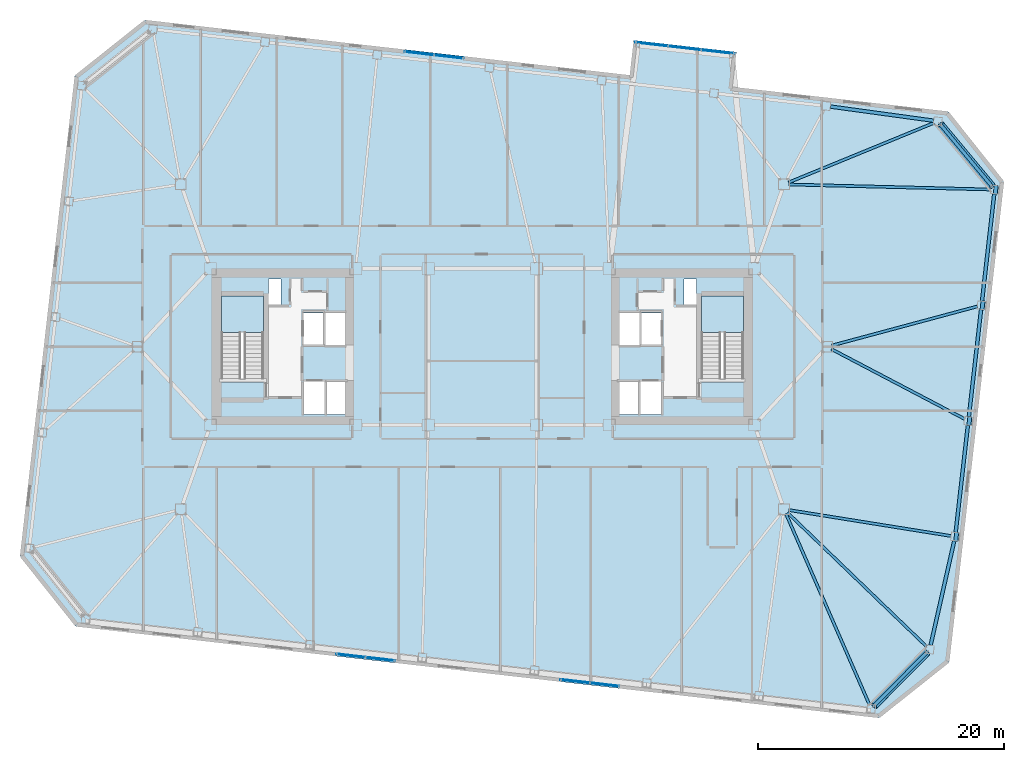
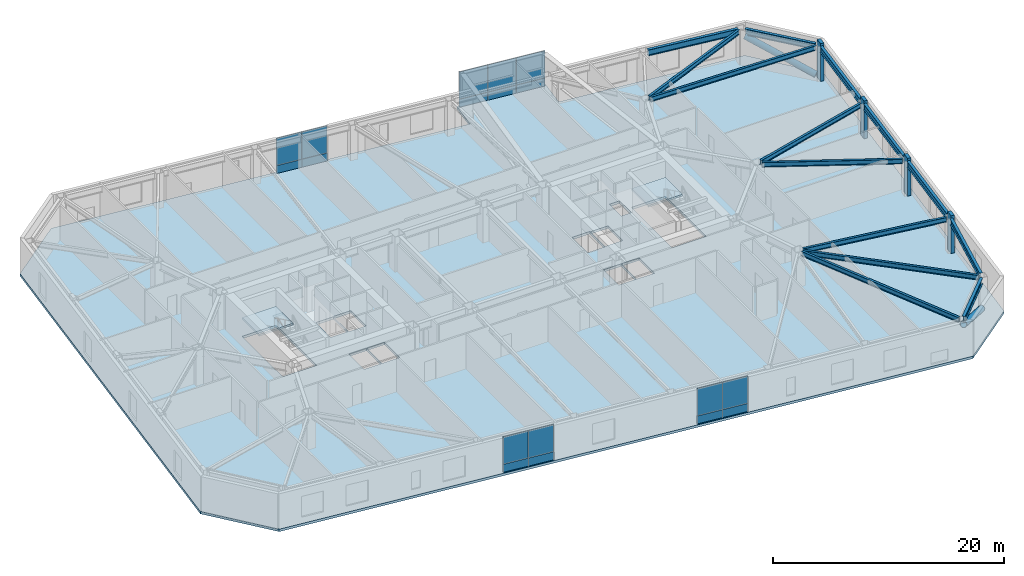
# One storey, part 12 of 23: 18 plates, 14 beams, 6 members, 3 slabs, 6 elements without a shape of their own.
"""IFC4 building model written with IfcOpenShell, lengths in metres."""

from ifc_helpers import new_model, si_unit, direction, frame, origin, origin_2d, place, context, subcontext, project, spatial, polyline, rectangle, hollow_circle, i_section, outline, extrude, material, layer, layer_set, material_profile, profile_set, type_object, element, aggregate, save


model = new_model("IFC4")

# Units and contexts
model_context = context("Model", 3, precision=1e-05, world=origin(), true_north=direction((0.0, 1.0)))
body_context = subcontext(model_context, "Body", "Model", "MODEL_VIEW")
ifc_project = project(units=[si_unit("LENGTHUNIT", "METRE"), si_unit("AREAUNIT", "SQUARE_METRE"), si_unit("VOLUMEUNIT", "CUBIC_METRE"), si_unit("PLANEANGLEUNIT", "RADIAN"), si_unit("MASSUNIT", "GRAM", prefix="KILO")], contexts=[model_context])

# Site, building, storey
site_placement = place(None, origin())
site = spatial("IfcSite", under=ifc_project, at=site_placement, CompositionType="ELEMENT")
building_placement = place(site_placement, origin())
building = spatial("IfcBuilding", under=site, at=building_placement, Name="Tavrogorsk Clinical Tower", CompositionType="ELEMENT")
storey_placement = place(building_placement, frame((0.0, 0.0, 113.39990234375)))
storey = spatial("IfcBuildingStorey", under=building, at=storey_placement, Name="L25", CompositionType="ELEMENT", Elevation=113.39990234375)

# Members
ifc_material_1 = material(Name="Structural steel S440", Category="steel")
ifc_material_profile_1 = material_profile(ifc_material_1, hollow_circle(Radius=0.304931640625, WallThickness=0.02490234375, at=origin_2d()), Name="CHS-610x25")
ifc_profile_set_1 = profile_set([ifc_material_profile_1], Name="Structural steel S440")
member_type_1 = type_object("IfcMemberType", Name="ExoBrace_CHS610", PredefinedType="BRACE", material=ifc_profile_set_1)
member_1_placement = place(storey_placement, frame((36.1025390625, -24.82763671875, 0.4345703125), z_axis=(-0.651430241483, -0.659222469252, 0.375585378463), x_axis=(0.711298174517, -0.702890394677, 0.0)))
element("IfcMember", 1, at=member_1_placement, inside=storey, type_object=member_type_1, Name="L25 Corner Exoskeleton Brace S8-E1", PredefinedType="BRACE", context=body_context, shape_type="SweptSolid", body=[
    extrude(hollow_circle(Radius=0.304931640625, WallThickness=0.02490234375, at=origin_2d()), origin(), (0.0, 0.0, 1.0), 6.57958984375),
])
member_2_placement = place(storey_placement, frame((41.40771484375, 13.03076171875, 0.427001953125), z_axis=(-0.598616328588, 0.718269947263, 0.354607915882), x_axis=(-0.768190751014, -0.640221032189, 0.0)))
element("IfcMember", 2, at=member_2_placement, inside=storey, type_object=member_type_1, Name="L25 Corner Exoskeleton Brace E5-N1", PredefinedType="BRACE", context=body_context, shape_type="SweptSolid", body=[
    extrude(hollow_circle(Radius=0.304931640625, WallThickness=0.02490234375, at=origin_2d()), origin(), (0.0, 0.0, 1.0), 7.0107421875),
])

# Beams
ifc_material_2 = material(Name="Structural steel S355", Category="steel")
ifc_material_profile_2 = material_profile(ifc_material_2, i_section(OverallWidth=0.219970703125, OverallDepth=0.5, WebThickness=0.012939453125, FlangeThickness=0.02001953125, at=origin_2d()), Name="B-500x220x13x20")
ifc_profile_set_2 = profile_set([ifc_material_profile_2], Name="Structural steel S355")
beam_type_1 = type_object("IfcBeamType", Name="FloorBeam_B500", PredefinedType="BEAM", material=ifc_profile_set_2)
beam_1_placement = place(storey_placement, frame((24.664306640625, -13.57568359375, 3.489990234375), z_axis=(0.400586354613, -0.916259009504, 0.0), x_axis=(0.916259009504, 0.400586354613, 0.0)))
element("IfcBeam", 3, at=beam_1_placement, inside=storey, type_object=beam_type_1, Name="L25 Radial Floor Beam S8", PredefinedType="BEAM", context=body_context, shape_type="SweptSolid", body=[
    extrude(i_section(OverallWidth=0.219970703125, OverallDepth=0.5, WebThickness=0.012939453125, FlangeThickness=0.02001953125, at=origin_2d()), origin(), (0.0, 0.0, 1.0), 16.91357421875),
])
beam_2_placement = place(storey_placement, frame((24.87939453125, 13.35546875, 3.489990234375), z_axis=(0.925250223374, 0.379357383143, 0.0), x_axis=(-0.379357383143, 0.925250223374, 0.0)))
element("IfcBeam", 4, at=beam_2_placement, inside=storey, type_object=beam_type_1, Name="L25 Radial Floor Beam N1", PredefinedType="BEAM", context=body_context, shape_type="SweptSolid", body=[
    extrude(i_section(OverallWidth=0.219970703125, OverallDepth=0.5, WebThickness=0.012939453125, FlangeThickness=0.02001953125, at=origin_2d()), origin(), (0.0, 0.0, 1.0), 12.738037109375),
])
beam_3_placement = place(storey_placement, frame((24.79541015625, -13.484375, 3.489990234375), z_axis=(0.720494740362, -0.693460401977, 0.0), x_axis=(0.693460401977, 0.720494740362, 0.0)))
element("IfcBeam", 5, at=beam_3_placement, inside=storey, type_object=beam_type_1, Name="L25 Radial Floor Beam E1", PredefinedType="BEAM", context=body_context, shape_type="SweptSolid", body=[
    extrude(i_section(OverallWidth=0.219970703125, OverallDepth=0.5, WebThickness=0.012939453125, FlangeThickness=0.02001953125, at=origin_2d()), origin(), (0.0, 0.0, 1.0), 15.659423828125),
])
beam_4_placement = place(storey_placement, frame((24.90478515625, -13.2646484375, 3.489990234375), z_axis=(0.987456527754, -0.157891120067, 0.0), x_axis=(0.157891120067, 0.987456527754, 0.0)))
element("IfcBeam", 6, at=beam_4_placement, inside=storey, type_object=beam_type_1, Name="L25 Radial Floor Beam E2", PredefinedType="BEAM", context=body_context, shape_type="SweptSolid", body=[
    extrude(i_section(OverallWidth=0.219970703125, OverallDepth=0.5, WebThickness=0.012939453125, FlangeThickness=0.02001953125, at=origin_2d()), origin(), (0.0, 0.0, 1.0), 13.31787109375),
])
beam_5_placement = place(storey_placement, frame((28.363037109375, -0.1904296875, 3.489990234375), z_axis=(0.885467298335, -0.464701693111, 0.0), x_axis=(0.464701693111, 0.885467298335, 0.0)))
element("IfcBeam", 7, at=beam_5_placement, inside=storey, type_object=beam_type_1, Name="L25 Radial Floor Beam E3", PredefinedType="BEAM", context=body_context, shape_type="SweptSolid", body=[
    extrude(i_section(OverallWidth=0.219970703125, OverallDepth=0.5, WebThickness=0.012939453125, FlangeThickness=0.02001953125, at=origin_2d()), origin(), (0.0, 0.0, 1.0), 12.197021484375),
])
beam_6_placement = place(storey_placement, frame((28.39599609375, 0.1064453125, 3.489990234375), z_axis=(0.965705720144, 0.259639099677, 0.0), x_axis=(-0.259639099677, 0.965705720144, 0.0)))
element("IfcBeam", 8, at=beam_6_placement, inside=storey, type_object=beam_type_1, Name="L25 Radial Floor Beam E4", PredefinedType="BEAM", context=body_context, shape_type="SweptSolid", body=[
    extrude(i_section(OverallWidth=0.219970703125, OverallDepth=0.5, WebThickness=0.012939453125, FlangeThickness=0.02001953125, at=origin_2d()), origin(), (0.0, 0.0, 1.0), 12.228759765625),
])
beam_7_placement = place(storey_placement, frame((24.909912109375, 13.189697265625, 3.489990234375), z_axis=(0.999690121031, -0.024893009314, 0.0), x_axis=(0.024893009314, 0.999690121031, 0.0)))
element("IfcBeam", 9, at=beam_7_placement, inside=storey, type_object=beam_type_1, Name="L25 Radial Floor Beam E5", PredefinedType="BEAM", context=body_context, shape_type="SweptSolid", body=[
    extrude(i_section(OverallWidth=0.219970703125, OverallDepth=0.5, WebThickness=0.012939453125, FlangeThickness=0.02001953125, at=origin_2d()), origin(), (0.0, 0.0, 1.0), 16.359130859375),
])

# Members
ifc_material_3 = material(Name="Precast concrete B45 with limestone cladding", Category="masonry")
ifc_material_profile_3 = material_profile(ifc_material_3, rectangle(XDim=0.320068359375, YDim=0.719970703125, at=origin_2d()), Name="LIMESTONE-FIN-320x720")
ifc_profile_set_3 = profile_set([ifc_material_profile_3], Name="Precast concrete B45 with limestone cladding")
member_type_2 = type_object("IfcMemberType", Name="LimestonePleatFin_320x720", PredefinedType="USERDEFINED", material=ifc_profile_set_3)
for number, where, z_axis, x_axis, name in (
    (10, (38.48876953125, -15.432861328125, 0.0), (0.0, 0.0, 1.0), (0.993571855677, -0.113203213768, 0.0), "L25 E Pleated Stone Fin 1"),
    (11, (39.5595703125, -6.03369140625, 0.0), (0.0, 0.0, 1.0), (0.993571855677, -0.113203213768, 0.0), "L25 E Pleated Stone Fin 2"),
    (12, (40.63037109375, 3.365234375, 0.0), (0.0, 0.0, 1.0), (0.993571855677, -0.113203213768, 0.0), "L25 E Pleated Stone Fin 3"),
    (13, (41.701416015625, 12.7646484375, 0.0), (0.0, 0.0, 1.0), (0.993571855677, -0.113203213768, 0.0), "L25 E Pleated Stone Fin 4"),
):
    element("IfcMember", number, at=place(storey_placement, frame(where, z_axis=z_axis, x_axis=x_axis)), inside=storey, type_object=member_type_2, Name=name, ObjectType="FIN", PredefinedType="USERDEFINED", context=body_context, shape_type="SweptSolid", body=[
        extrude(rectangle(XDim=0.320068359375, YDim=0.719970703125, at=origin_2d()), origin(), (0.0, 0.0, 1.0), 4.0),
    ])

# Beams
ifc_material_4 = material(Name="Structural steel S390", Category="steel")
ifc_material_profile_4 = material_profile(ifc_material_4, i_section(OverallWidth=0.280029296875, OverallDepth=0.64990234375, WebThickness=0.01611328125, FlangeThickness=0.02490234375, at=origin_2d()), Name="B-650x280x16x25")
ifc_profile_set_4 = profile_set([ifc_material_profile_4], Name="Structural steel S390")
beam_type_2 = type_object("IfcBeamType", Name="SpandrelBeam_B650", PredefinedType="SPANDREL", material=ifc_profile_set_4)
beam_8_placement = place(storey_placement, frame((31.834716796875, -29.146240234375, 3.4150390625), z_axis=(0.702934929184, 0.711254163667, 0.0), x_axis=(-0.711254163667, 0.702934929184, 0.0)))
element("IfcBeam", 14, at=beam_8_placement, inside=storey, type_object=beam_type_2, Name="L25 Perimeter Spandrel S8-E1", PredefinedType="SPANDREL", context=body_context, shape_type="SweptSolid", body=[
    extrude(i_section(OverallWidth=0.280029296875, OverallDepth=0.64990234375, WebThickness=0.01611328125, FlangeThickness=0.02490234375, at=origin_2d()), origin(), (0.0, 0.0, 1.0), 6.04541015625),
])
beam_9_placement = place(storey_placement, frame((36.414794921875, -24.242431640625, 3.4150390625), z_axis=(0.220602599501, 0.975363774749, 0.0), x_axis=(-0.975363774749, 0.220602599501, 0.0)))
element("IfcBeam", 15, at=beam_9_placement, inside=storey, type_object=beam_type_2, Name="L25 Perimeter Spandrel E1-E2", PredefinedType="SPANDREL", context=body_context, shape_type="SweptSolid", body=[
    extrude(i_section(OverallWidth=0.280029296875, OverallDepth=0.64990234375, WebThickness=0.01611328125, FlangeThickness=0.02490234375, at=origin_2d()), origin(), (0.0, 0.0, 1.0), 8.68310546875),
])
for number, where, z_axis, x_axis, name in (
    (16, (38.44970703125, -15.068115234375, 3.4150390625), (0.113192226434, 0.993573107464, 0.0), (-0.993573107464, 0.113192226434, 0.0), "L25 Perimeter Spandrel E2-E3"),
    (17, (39.520751953125, -5.6689453125, 3.4150390625), (0.113192226434, 0.993573107464, 0.0), (-0.993573107464, 0.113192226434, 0.0), "L25 Perimeter Spandrel E3-E4"),
):
    element("IfcBeam", number, at=place(storey_placement, frame(where, z_axis=z_axis, x_axis=x_axis)), inside=storey, type_object=beam_type_2, Name=name, PredefinedType="SPANDREL", context=body_context, shape_type="SweptSolid", body=[
        extrude(i_section(OverallWidth=0.280029296875, OverallDepth=0.64990234375, WebThickness=0.01611328125, FlangeThickness=0.02490234375, at=origin_2d()), origin(), (0.0, 0.0, 1.0), 8.743896484375),
    ])
beam_10_placement = place(storey_placement, frame((40.591552734375, 3.72998046875, 3.4150390625), z_axis=(0.113189086379, 0.993573465188, 0.0), x_axis=(-0.993573465188, 0.113189086379, 0.0)))
element("IfcBeam", 18, at=beam_10_placement, inside=storey, type_object=beam_type_2, Name="L25 Perimeter Spandrel E4-E5", PredefinedType="SPANDREL", context=body_context, shape_type="SweptSolid", body=[
    extrude(i_section(OverallWidth=0.280029296875, OverallDepth=0.64990234375, WebThickness=0.01611328125, FlangeThickness=0.02490234375, at=origin_2d()), origin(), (0.0, 0.0, 1.0), 8.744140625),
])
beam_11_placement = place(storey_placement, frame((41.392578125, 13.048583984375, 3.4150390625), z_axis=(-0.640191778751, 0.768215130299, 0.0), x_axis=(-0.768215130299, -0.640191778751, 0.0)))
element("IfcBeam", 19, at=beam_11_placement, inside=storey, type_object=beam_type_2, Name="L25 Perimeter Spandrel E5-N1", PredefinedType="SPANDREL", context=body_context, shape_type="SweptSolid", body=[
    extrude(i_section(OverallWidth=0.280029296875, OverallDepth=0.64990234375, WebThickness=0.01611328125, FlangeThickness=0.02490234375, at=origin_2d()), origin(), (0.0, 0.0, 1.0), 6.508544921875),
])
beam_12_placement = place(storey_placement, frame((36.641845703125, 18.3720703125, 3.4150390625), z_axis=(-0.990722121657, 0.135903192232, 0.0), x_axis=(-0.135903192232, -0.990722121657, 0.0)))
element("IfcBeam", 20, at=beam_12_placement, inside=storey, type_object=beam_type_2, Name="L25 Perimeter Spandrel N1-N2", PredefinedType="SPANDREL", context=body_context, shape_type="SweptSolid", body=[
    extrude(i_section(OverallWidth=0.280029296875, OverallDepth=0.64990234375, WebThickness=0.01611328125, FlangeThickness=0.02490234375, at=origin_2d()), origin(), (0.0, 0.0, 1.0), 8.439697265625),
])

# Curtain wall, plates
ifc_material_5 = material(Name="Anodised aluminium and triple IGU glazing", Category="aluminium")
ifc_layer_1 = layer(ifc_material_5, 0.179931640625)
ifc_layer_set_1 = layer_set([ifc_layer_1], Name="Anodised aluminium and triple IGU glazing")
curtain_wall_type_1 = type_object("IfcCurtainWallType", Name="CW3_SouthSlot", PredefinedType="NOTDEFINED", material=ifc_layer_set_1)
curtain_wall_1_placement = place(storey_placement, origin())
curtain_wall_1 = element("IfcCurtainWall", 21, at=curtain_wall_1_placement, inside=storey, type_object=curtain_wall_type_1, Name="L25 Curtain Wall CW-L25-S-SLOT-1", PredefinedType="NOTDEFINED")
ifc_material_6 = material(Name="Honed Podolsk limestone spandrel panel", Category="masonry")
ifc_layer_2 = layer(ifc_material_6, 0.080078125)
ifc_layer_set_2 = layer_set([ifc_layer_2], Name="Honed Podolsk limestone spandrel panel")
plate_type_1 = type_object("IfcPlateType", Name="CwSpandrelStonePanel_80", PredefinedType="CURTAIN_PANEL", material=ifc_layer_set_2)
plate_1_placement = place(storey_placement, frame((-10.70654296875, -25.095947265625, 0.002197265625), z_axis=(0.0, 0.0, 1.0), x_axis=(0.993571855603, -0.11320321441, 0.0)))
plate_1 = element("IfcPlate", 22, at=plate_1_placement, type_object=plate_type_1, Name="CW-L25-S-SLOT-1 Stone Spandrel Panel 1", PredefinedType="CURTAIN_PANEL", context=body_context, shape_type="SweptSolid", body=[
    extrude(rectangle(XDim=2.39208984375, YDim=0.080078125, at=origin_2d()), origin(), (0.0, 0.0, 1.0), 0.8359375),
])
plate_2_placement = place(storey_placement, frame((-8.30615234375, -25.36962890625, 0.002197265625), z_axis=(0.0, 0.0, 1.0), x_axis=(0.993571855603, -0.11320321441, 0.0)))
plate_2 = element("IfcPlate", 23, at=plate_2_placement, type_object=plate_type_1, Name="CW-L25-S-SLOT-1 Stone Spandrel Panel 2", PredefinedType="CURTAIN_PANEL", context=body_context, shape_type="SweptSolid", body=[
    extrude(rectangle(XDim=2.39208984375, YDim=0.080078125, at=origin_2d()), origin(), (0.0, 0.0, 1.0), 0.8359375),
])

curtain_wall_2_placement = place(storey_placement, origin())
curtain_wall_2 = element("IfcCurtainWall", 24, at=curtain_wall_2_placement, inside=storey, type_object=curtain_wall_type_1, Name="L25 Curtain Wall CW-L25-S-SLOT-2", PredefinedType="NOTDEFINED")
plate_3_placement = place(storey_placement, frame((7.52978515625, -27.173828125, 0.002197265625), z_axis=(0.0, 0.0, 1.0), x_axis=(0.993571858269, -0.113203191016, 0.0)))
plate_3 = element("IfcPlate", 25, at=plate_3_placement, type_object=plate_type_1, Name="CW-L25-S-SLOT-2 Stone Spandrel Panel 1", PredefinedType="CURTAIN_PANEL", context=body_context, shape_type="SweptSolid", body=[
    extrude(rectangle(XDim=2.39208984375, YDim=0.080078125, at=origin_2d()), origin(), (0.0, 0.0, 1.0), 0.8359375),
])
plate_4_placement = place(storey_placement, frame((9.93017578125, -27.447265625, 0.002197265625), z_axis=(0.0, 0.0, 1.0), x_axis=(0.993571858269, -0.113203191016, 0.0)))
plate_4 = element("IfcPlate", 26, at=plate_4_placement, type_object=plate_type_1, Name="CW-L25-S-SLOT-2 Stone Spandrel Panel 2", PredefinedType="CURTAIN_PANEL", context=body_context, shape_type="SweptSolid", body=[
    extrude(rectangle(XDim=2.39208984375, YDim=0.080078125, at=origin_2d()), origin(), (0.0, 0.0, 1.0), 0.8359375),
])

ifc_material_7 = material(Name="Anodised aluminium and triple IGU glazing", Category="aluminium")
ifc_layer_3 = layer(ifc_material_7, 0.179931640625)
ifc_layer_set_3 = layer_set([ifc_layer_3], Name="Anodised aluminium and triple IGU glazing")
curtain_wall_type_2 = type_object("IfcCurtainWallType", Name="CW2_NorthSlot", PredefinedType="NOTDEFINED", material=ifc_layer_set_3)
curtain_wall_3_placement = place(storey_placement, origin())
curtain_wall_3 = element("IfcCurtainWall", 27, at=curtain_wall_3_placement, inside=storey, type_object=curtain_wall_type_2, Name="L25 Curtain Wall CW-L25-N-SLOT-1", PredefinedType="NOTDEFINED")
plate_5_placement = place(storey_placement, frame((-2.729736328125, 23.57373046875, 0.002197265625), z_axis=(0.0, 0.0, 1.0), x_axis=(-0.993571858269, 0.113203191016, 0.0)))
plate_5 = element("IfcPlate", 28, at=plate_5_placement, type_object=plate_type_1, Name="CW-L25-N-SLOT-1 Stone Spandrel Panel 1", PredefinedType="CURTAIN_PANEL", context=body_context, shape_type="SweptSolid", body=[
    extrude(rectangle(XDim=2.39208984375, YDim=0.080078125, at=origin_2d()), origin(), (0.0, 0.0, 1.0), 0.8359375),
])
plate_6_placement = place(storey_placement, frame((-5.130126953125, 23.847412109375, 0.002197265625), z_axis=(0.0, 0.0, 1.0), x_axis=(-0.993571858269, 0.113203191016, 0.0)))
plate_6 = element("IfcPlate", 29, at=plate_6_placement, type_object=plate_type_1, Name="CW-L25-N-SLOT-1 Stone Spandrel Panel 2", PredefinedType="CURTAIN_PANEL", context=body_context, shape_type="SweptSolid", body=[
    extrude(rectangle(XDim=2.39208984375, YDim=0.080078125, at=origin_2d()), origin(), (0.0, 0.0, 1.0), 0.8359375),
])

ifc_material_8 = material(Name="Anodised aluminium and triple IGU glazing", Category="aluminium")
ifc_layer_4 = layer(ifc_material_8, 0.179931640625)
ifc_layer_set_4 = layer_set([ifc_layer_4], Name="Anodised aluminium and triple IGU glazing")
curtain_wall_type_3 = type_object("IfcCurtainWallType", Name="CW4_DayroomBox", PredefinedType="NOTDEFINED", material=ifc_layer_set_4)
curtain_wall_4_placement = place(storey_placement, origin())
curtain_wall_4 = element("IfcCurtainWall", 30, at=curtain_wall_4_placement, inside=storey, type_object=curtain_wall_type_3, Name="L25 Curtain Wall CW-DRB-04-L25", PredefinedType="NOTDEFINED")
plate_7_placement = place(storey_placement, frame((13.753662109375, 24.584228515625, 0.002197265625), z_axis=(0.0, 0.0, 1.0), x_axis=(0.993571856066, -0.113203210352, 0.0)))
plate_7 = element("IfcPlate", 31, at=plate_7_placement, type_object=plate_type_1, Name="CW-DRB-04-L25 Stone Spandrel Panel 1", PredefinedType="CURTAIN_PANEL", context=body_context, shape_type="SweptSolid", body=[
    extrude(rectangle(XDim=2.68798828125, YDim=0.080078125, at=origin_2d()), origin(), (0.0, 0.0, 1.0), 0.8359375),
])
plate_8_placement = place(storey_placement, frame((16.4423828125, 24.278076171875, 0.002197265625), z_axis=(0.0, 0.0, 1.0), x_axis=(0.993571856066, -0.113203210352, 0.0)))
plate_8 = element("IfcPlate", 32, at=plate_8_placement, type_object=plate_type_1, Name="CW-DRB-04-L25 Stone Spandrel Panel 2", PredefinedType="CURTAIN_PANEL", context=body_context, shape_type="SweptSolid", body=[
    extrude(rectangle(XDim=2.676025390625, YDim=0.080078125, at=origin_2d()), origin(), (0.0, 0.0, 1.0), 0.8359375),
])
plate_9_placement = place(storey_placement, frame((19.130859375, 23.9716796875, 0.002197265625), z_axis=(0.0, 0.0, 1.0), x_axis=(0.993571856066, -0.113203210352, 0.0)))
plate_9 = element("IfcPlate", 33, at=plate_9_placement, type_object=plate_type_1, Name="CW-DRB-04-L25 Stone Spandrel Panel 3", PredefinedType="CURTAIN_PANEL", context=body_context, shape_type="SweptSolid", body=[
    extrude(rectangle(XDim=2.68798828125, YDim=0.080078125, at=origin_2d()), origin(), (0.0, 0.0, 1.0), 0.8359375),
])

# Plate
ifc_material_9 = material(Name="Triple low-E argon insulated glass", Category="glass")
ifc_layer_5 = layer(ifc_material_9, 0.048095703125)
ifc_layer_set_5 = layer_set([ifc_layer_5], Name="Triple low-E argon insulated glass")
plate_type_2 = type_object("IfcPlateType", Name="CwVisionGlassPanel_48", PredefinedType="CURTAIN_PANEL", material=ifc_layer_set_5)
plate_10_placement = place(storey_placement, frame((-10.70654296875, -25.095947265625, 0.862060546875), z_axis=(0.0, 0.0, 1.0), x_axis=(0.993571855603, -0.11320321441, 0.0)))
plate_10 = element("IfcPlate", 34, at=plate_10_placement, type_object=plate_type_2, Name="CW-L25-S-SLOT-1 Glazing Panel 1", PredefinedType="CURTAIN_PANEL", context=body_context, shape_type="SweptSolid", body=[
    extrude(rectangle(XDim=2.39208984375, YDim=0.048095703125, at=origin_2d()), origin(), (0.0, 0.0, 1.0), 2.8759765625),
])

plate_11_placement = place(storey_placement, frame((-8.30615234375, -25.36962890625, 0.862060546875), z_axis=(0.0, 0.0, 1.0), x_axis=(0.993571855603, -0.11320321441, 0.0)))
plate_11 = element("IfcPlate", 35, at=plate_11_placement, type_object=plate_type_2, Name="CW-L25-S-SLOT-1 Glazing Panel 2", PredefinedType="CURTAIN_PANEL", context=body_context, shape_type="SweptSolid", body=[
    extrude(rectangle(XDim=2.39208984375, YDim=0.048095703125, at=origin_2d()), origin(), (0.0, 0.0, 1.0), 2.8759765625),
])

aggregate(curtain_wall_1, [plate_1, plate_10, plate_2, plate_11])

plate_12_placement = place(storey_placement, frame((7.52978515625, -27.173828125, 0.862060546875), z_axis=(0.0, 0.0, 1.0), x_axis=(0.993571858269, -0.113203191016, 0.0)))
plate_12 = element("IfcPlate", 36, at=plate_12_placement, type_object=plate_type_2, Name="CW-L25-S-SLOT-2 Glazing Panel 1", PredefinedType="CURTAIN_PANEL", context=body_context, shape_type="SweptSolid", body=[
    extrude(rectangle(XDim=2.39208984375, YDim=0.048095703125, at=origin_2d()), origin(), (0.0, 0.0, 1.0), 2.8759765625),
])

plate_13_placement = place(storey_placement, frame((9.93017578125, -27.447265625, 0.862060546875), z_axis=(0.0, 0.0, 1.0), x_axis=(0.993571858269, -0.113203191016, 0.0)))
plate_13 = element("IfcPlate", 37, at=plate_13_placement, type_object=plate_type_2, Name="CW-L25-S-SLOT-2 Glazing Panel 2", PredefinedType="CURTAIN_PANEL", context=body_context, shape_type="SweptSolid", body=[
    extrude(rectangle(XDim=2.39208984375, YDim=0.048095703125, at=origin_2d()), origin(), (0.0, 0.0, 1.0), 2.8759765625),
])

aggregate(curtain_wall_2, [plate_3, plate_12, plate_4, plate_13])

plate_14_placement = place(storey_placement, frame((-2.729736328125, 23.57373046875, 0.862060546875), z_axis=(0.0, 0.0, 1.0), x_axis=(-0.993571858269, 0.113203191016, 0.0)))
plate_14 = element("IfcPlate", 38, at=plate_14_placement, type_object=plate_type_2, Name="CW-L25-N-SLOT-1 Glazing Panel 1", PredefinedType="CURTAIN_PANEL", context=body_context, shape_type="SweptSolid", body=[
    extrude(rectangle(XDim=2.39208984375, YDim=0.048095703125, at=origin_2d()), origin(), (0.0, 0.0, 1.0), 2.8759765625),
])

plate_15_placement = place(storey_placement, frame((-5.130126953125, 23.847412109375, 0.862060546875), z_axis=(0.0, 0.0, 1.0), x_axis=(-0.993571858269, 0.113203191016, 0.0)))
plate_15 = element("IfcPlate", 39, at=plate_15_placement, type_object=plate_type_2, Name="CW-L25-N-SLOT-1 Glazing Panel 2", PredefinedType="CURTAIN_PANEL", context=body_context, shape_type="SweptSolid", body=[
    extrude(rectangle(XDim=2.39208984375, YDim=0.048095703125, at=origin_2d()), origin(), (0.0, 0.0, 1.0), 2.8759765625),
])

aggregate(curtain_wall_3, [plate_5, plate_14, plate_6, plate_15])

plate_16_placement = place(storey_placement, frame((13.753662109375, 24.584228515625, 0.862060546875), z_axis=(0.0, 0.0, 1.0), x_axis=(0.993571856066, -0.113203210352, 0.0)))
plate_16 = element("IfcPlate", 40, at=plate_16_placement, type_object=plate_type_2, Name="CW-DRB-04-L25 Glazing Panel 1", PredefinedType="CURTAIN_PANEL", context=body_context, shape_type="SweptSolid", body=[
    extrude(rectangle(XDim=2.68798828125, YDim=0.048095703125, at=origin_2d()), origin(), (0.0, 0.0, 1.0), 2.8759765625),
])

plate_17_placement = place(storey_placement, frame((16.4423828125, 24.278076171875, 0.862060546875), z_axis=(0.0, 0.0, 1.0), x_axis=(0.993571856066, -0.113203210352, 0.0)))
plate_17 = element("IfcPlate", 41, at=plate_17_placement, type_object=plate_type_2, Name="CW-DRB-04-L25 Glazing Panel 2", PredefinedType="CURTAIN_PANEL", context=body_context, shape_type="SweptSolid", body=[
    extrude(rectangle(XDim=2.676025390625, YDim=0.048095703125, at=origin_2d()), origin(), (0.0, 0.0, 1.0), 2.8759765625),
])

plate_18_placement = place(storey_placement, frame((19.130859375, 23.9716796875, 0.862060546875), z_axis=(0.0, 0.0, 1.0), x_axis=(0.993571856066, -0.113203210352, 0.0)))
plate_18 = element("IfcPlate", 42, at=plate_18_placement, type_object=plate_type_2, Name="CW-DRB-04-L25 Glazing Panel 3", PredefinedType="CURTAIN_PANEL", context=body_context, shape_type="SweptSolid", body=[
    extrude(rectangle(XDim=2.68798828125, YDim=0.048095703125, at=origin_2d()), origin(), (0.0, 0.0, 1.0), 2.8759765625),
])

aggregate(curtain_wall_4, [plate_7, plate_16, plate_8, plate_17, plate_9, plate_18])

# Stair, slab
ifc_material_10 = material(Name="Concrete B60", Category="concrete")
stair_type = type_object("IfcStairType", Name="CoreStairAssembly", PredefinedType="HALF_TURN_STAIR", material=ifc_material_10)
stair_1_placement = place(storey_placement, origin())
stair_1 = element("IfcStair", 43, at=stair_1_placement, inside=storey, type_object=stair_type, Name="L25 ST-W", PredefinedType="HALF_TURN_STAIR")
ifc_material_11 = material(Name="Concrete B60", Category="concrete")
ifc_layer_6 = layer(ifc_material_11, 0.199951171875)
ifc_layer_set_6 = layer_set([ifc_layer_6], Name="Concrete B60")
slab_type_1 = type_object("IfcSlabType", Name="StairLanding_200", PredefinedType="LANDING", material=ifc_layer_set_6)
slab_1_placement = place(storey_placement, frame((0.0, 0.0, 1.800048828125)))
slab_1 = element("IfcSlab", 44, at=slab_1_placement, type_object=slab_type_1, Name="ST-W landing 1", PredefinedType="LANDING", context=body_context, shape_type="SweptSolid", body=[
    extrude(outline(polyline([(-17.800048828125, 1.1650390625), (-17.800048828125, 4.125), (-21.199951171875, 4.125), (-21.199951171875, 1.1650390625), (-17.800048828125, 1.1650390625)])), origin(), (0.0, 0.0, 1.0), 0.199951171875),
])
aggregate(stair_1, [slab_1])

stair_2_placement = place(storey_placement, origin())
stair_2 = element("IfcStair", 45, at=stair_2_placement, inside=storey, type_object=stair_type, Name="L25 ST-E", PredefinedType="HALF_TURN_STAIR")
slab_2_placement = place(storey_placement, frame((0.0, 0.0, 1.800048828125)))
slab_2 = element("IfcSlab", 46, at=slab_2_placement, type_object=slab_type_1, Name="ST-E landing 1", PredefinedType="LANDING", context=body_context, shape_type="SweptSolid", body=[
    extrude(outline(polyline([(21.199951171875, 1.1650390625), (21.199951171875, 4.125), (17.800048828125, 4.125), (17.800048828125, 1.1650390625), (21.199951171875, 1.1650390625)])), origin(), (0.0, 0.0, 1.0), 0.199951171875),
])
aggregate(stair_2, [slab_2])

# Slab
ifc_material_12 = material(Name="Concrete B60", Category="concrete")
ifc_layer_7 = layer(ifc_material_12, 0.260009765625)
ifc_layer_set_7 = layer_set([ifc_layer_7], Name="Concrete B60")
slab_type_2 = type_object("IfcSlabType", Name="WardSlab_260", PredefinedType="FLOOR", material=ifc_layer_set_7)
slab_3_placement = place(storey_placement, frame((0.0, 0.0, -0.260009765625)))
element("IfcSlab", 47, at=slab_3_placement, inside=storey, type_object=slab_type_2, Name="L25 Structural Slab", PredefinedType="FLOOR", context=body_context, shape_type="SweptSolid", body=[
    extrude(outline(polyline([(37.796630859375, 19.12744140625), (42.37451171875, 13.372314453125), (37.93701171875, -25.57568359375), (32.181640625, -30.153564453125), (-32.99658203125, -22.7275390625), (-37.574462890625, -16.972412109375), (-33.136962890625, 21.9755859375), (-27.381591796875, 26.5537109375), (11.963623046875, 22.07080078125), (12.286376953125, 24.902587890625), (20.63232421875, 23.95166015625), (20.309814453125, 21.119873046875), (37.796630859375, 19.12744140625)]), holes=[polyline([(-17.800048828125, -2.8798828125), (-17.800048828125, 4.125), (-21.199951171875, 4.125), (-21.199951171875, -2.8798828125), (-17.800048828125, -2.8798828125)]), polyline([(21.199951171875, -2.8798828125), (21.199951171875, 4.125), (17.800048828125, 4.125), (17.800048828125, -2.8798828125), (21.199951171875, -2.8798828125)]), polyline([(-14.6201171875, 0.169921875), (-12.860107421875, 0.169921875), (-12.860107421875, 2.72998046875), (-14.6201171875, 2.72998046875), (-14.6201171875, 0.169921875)]), polyline([(-14.530029296875, -5.47998046875), (-12.77001953125, -5.47998046875), (-12.77001953125, -2.820068359375), (-14.530029296875, -2.820068359375), (-14.530029296875, -5.47998046875)]), polyline([(-12.72998046875, -5.47998046875), (-10.969970703125, -5.47998046875), (-10.969970703125, -2.820068359375), (-12.72998046875, -2.820068359375), (-12.72998046875, -5.47998046875)]), polyline([(-12.840087890625, 0.1201171875), (-11.080078125, 0.1201171875), (-11.080078125, 2.780029296875), (-12.840087890625, 2.780029296875), (-12.840087890625, 0.1201171875)]), polyline([(12.860107421875, 0.169921875), (14.6201171875, 0.169921875), (14.6201171875, 2.72998046875), (12.860107421875, 2.72998046875), (12.860107421875, 0.169921875)]), polyline([(12.77001953125, -5.47998046875), (14.530029296875, -5.47998046875), (14.530029296875, -2.820068359375), (12.77001953125, -2.820068359375), (12.77001953125, -5.47998046875)]), polyline([(10.969970703125, -5.47998046875), (12.72998046875, -5.47998046875), (12.72998046875, -2.820068359375), (10.969970703125, -2.820068359375), (10.969970703125, -5.47998046875)]), polyline([(11.080078125, 0.1201171875), (12.840087890625, 0.1201171875), (12.840087890625, 2.780029296875), (11.080078125, 2.780029296875), (11.080078125, 0.1201171875)]), polyline([(-17.3798828125, 3.449951171875), (-16.3798828125, 3.449951171875), (-16.3798828125, 5.5), (-17.3798828125, 5.5), (-17.3798828125, 3.449951171875)]), polyline([(16.3798828125, 3.449951171875), (17.3798828125, 3.449951171875), (17.3798828125, 5.5), (16.3798828125, 5.5), (16.3798828125, 3.449951171875)])]), origin(), (0.0, 0.0, 1.0), 0.260009765625),
])

save(model, "model.ifc")
